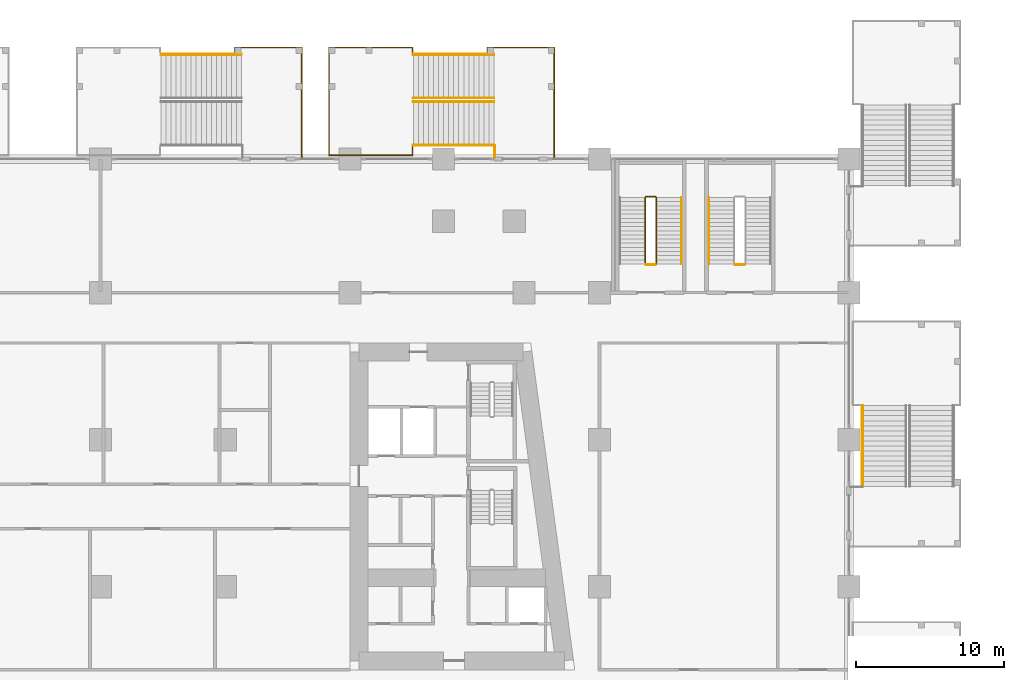
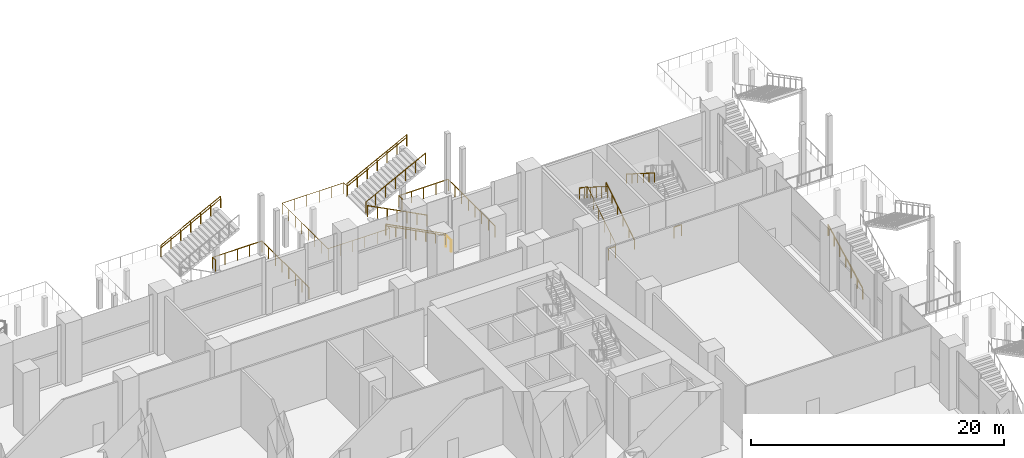
# One storey, part 43 of 47: 19 railings.
"""IFC4 building model written with IfcOpenShell, lengths in metres."""

from ifc_helpers import new_model, si_unit, direction, frame, origin, origin_2d, place, context, subcontext, project, spatial, circle, extrude, material, type_object, element, save


model = new_model("IFC4")

# Units and contexts
model_context = context("Model", 3, precision=1e-05, world=origin(), true_north=direction((0.0, 1.0)))
body_context = subcontext(model_context, "Body", "Model", "MODEL_VIEW")
ifc_project = project(units=[si_unit("LENGTHUNIT", "METRE"), si_unit("AREAUNIT", "SQUARE_METRE"), si_unit("VOLUMEUNIT", "CUBIC_METRE"), si_unit("PLANEANGLEUNIT", "RADIAN"), si_unit("MASSUNIT", "GRAM", prefix="KILO")], contexts=[model_context])

# Site, building, storey
site_placement = place(None, origin())
site = spatial("IfcSite", under=ifc_project, at=site_placement, CompositionType="ELEMENT")
building_placement = place(site_placement, origin())
building = spatial("IfcBuilding", under=site, at=building_placement, Name="Candeia Pilgrim Tower and Theatre", CompositionType="ELEMENT")
storey_placement = place(building_placement, frame((0.0, 0.0, 23.0)))
storey = spatial("IfcBuildingStorey", under=building, at=storey_placement, Name="L03", CompositionType="ELEMENT", Elevation=23.0)

# Railings
ifc_material_1 = material(Name="Stainless steel balustrade", Category="steel")
railing_type_1 = type_object("IfcRailingType", Name="RL-GUARD-1100", PredefinedType="GUARDRAIL", material=ifc_material_1)
railing_1_placement = place(storey_placement, frame((146.625, 137.72509765625, 0.176513671875)))
element("IfcRailing", 1, at=railing_1_placement, inside=storey, type_object=railing_type_1, Name="L03 PS3 stair guard 1", PredefinedType="GUARDRAIL", context=body_context, shape_type="SweptSolid", body=[
    extrude(circle(Radius=0.02392578125, at=origin_2d()), frame((0.0, 0.0, 1.076171875), z_axis=(0.0, 0.845997938375, 0.533186166611), x_axis=(-1.0, 0.0, 0.0)), (0.0, 0.0, 1.0), 5.29541015625),
    extrude(circle(Radius=0.02392578125, at=origin_2d()), frame((0.0, 4.47998046875, 3.8994140625), z_axis=(-0.708833529934, 0.705375805398, 0.0), x_axis=(-0.705375805398, -0.708833529934, 0.0)), (0.0, 0.0, 1.0), 0.070556640625),
    extrude(circle(Radius=0.02392578125, at=origin_2d()), frame((-0.050048828125, 4.52978515625, 3.8994140625), z_axis=(-1.0, 0.0, 0.0), x_axis=(0.0, -1.0, 0.0)), (0.0, 0.0, 1.0), 0.64990234375),
    extrude(circle(Radius=0.02392578125, at=origin_2d()), frame((-0.699951171875, 4.52978515625, 3.8994140625), z_axis=(-0.263260079301, -0.261975883792, 0.928473352853), x_axis=(0.705375805398, -0.708833529934, 0.0)), (0.0, 0.0, 1.0), 0.190185546875),
    extrude(circle(Radius=0.02392578125, at=origin_2d()), frame((-0.75, 4.47998046875, 4.076171875), z_axis=(0.0, -0.845997938375, 0.533186166611), x_axis=(1.0, 0.0, 0.0)), (0.0, 0.0, 1.0), 5.29541015625),
    extrude(circle(Radius=0.02099609375, at=origin_2d()), origin(), (0.0, 0.0, 1.0), 1.052001953125),
    extrude(circle(Radius=0.02099609375, at=origin_2d()), frame((0.0, 0.89599609375, 0.564697265625)), (0.0, 0.0, 1.0), 1.052001953125),
    extrude(circle(Radius=0.02099609375, at=origin_2d()), frame((0.0, 1.7919921875, 1.12939453125)), (0.0, 0.0, 1.0), 1.052001953125),
    extrude(circle(Radius=0.02099609375, at=origin_2d()), frame((0.0, 2.68798828125, 1.694091796875)), (0.0, 0.0, 1.0), 1.052001953125),
    extrude(circle(Radius=0.02099609375, at=origin_2d()), frame((0.0, 3.583984375, 2.2587890625)), (0.0, 0.0, 1.0), 1.052001953125),
    extrude(circle(Radius=0.02099609375, at=origin_2d()), frame((0.0, 4.47998046875, 2.823486328125)), (0.0, 0.0, 1.0), 1.052001953125),
    extrude(circle(Radius=0.02099609375, at=origin_2d()), frame((-0.050048828125, 4.52978515625, 2.823486328125)), (0.0, 0.0, 1.0), 1.052001953125),
    extrude(circle(Radius=0.02099609375, at=origin_2d()), frame((-0.699951171875, 4.52978515625, 2.823486328125)), (0.0, 0.0, 1.0), 1.052001953125),
    extrude(circle(Radius=0.02099609375, at=origin_2d()), frame((-0.75, 4.47998046875, 3.0)), (0.0, 0.0, 1.0), 1.052001953125),
    extrude(circle(Radius=0.02099609375, at=origin_2d()), frame((-0.75, 3.583984375, 3.564697265625)), (0.0, 0.0, 1.0), 1.052001953125),
    extrude(circle(Radius=0.02099609375, at=origin_2d()), frame((-0.75, 2.68798828125, 4.12939453125)), (0.0, 0.0, 1.0), 1.052001953125),
    extrude(circle(Radius=0.02099609375, at=origin_2d()), frame((-0.75, 1.7919921875, 4.694091796875)), (0.0, 0.0, 1.0), 1.052001953125),
    extrude(circle(Radius=0.02099609375, at=origin_2d()), frame((-0.75, 0.89599609375, 5.2587890625)), (0.0, 0.0, 1.0), 1.052001953125),
    extrude(circle(Radius=0.02099609375, at=origin_2d()), frame((-0.75, 0.0, 5.823486328125)), (0.0, 0.0, 1.0), 1.052001953125),
])
for number, where, name in (
    (2, (146.574951171875, 137.675048828125, 0.0), "L03 PS3 stair guard 2"),
    (3, (152.574951171875, 137.675048828125, 0.0), "L03 PS4 stair guard 2"),
):
    element("IfcRailing", number, at=place(storey_placement, frame(where)), inside=storey, type_object=railing_type_1, Name=name, PredefinedType="GUARDRAIL", context=body_context, shape_type="SweptSolid", body=[
        extrude(circle(Radius=0.02392578125, at=origin_2d()), frame((0.0, 0.0, 1.076171875), z_axis=(-1.0, 0.0, 0.0), x_axis=(0.0, -1.0, 0.0)), (0.0, 0.0, 1.0), 0.64990234375),
        extrude(circle(Radius=0.02099609375, at=origin_2d()), origin(), (0.0, 0.0, 1.0), 1.052001953125),
        extrude(circle(Radius=0.02099609375, at=origin_2d()), frame((-0.64990234375, 0.0, 0.0)), (0.0, 0.0, 1.0), 1.052001953125),
    ])
railing_2_placement = place(storey_placement, frame((113.260009765625, 151.85009765625, 3.176513671875)))
element("IfcRailing", 4, at=railing_2_placement, inside=storey, type_object=railing_type_1, Name="L03 ES6 stair guard 4", PredefinedType="GUARDRAIL", context=body_context, shape_type="SweptSolid", body=[
    extrude(circle(Radius=0.02392578125, at=origin_2d()), frame((0.0, 0.0, 1.076171875), z_axis=(0.887569374008, 0.0, 0.460674078198), x_axis=(0.0, 1.0, 0.0)), (0.0, 0.0, 1.0), 6.129150390625),
    extrude(circle(Radius=0.02099609375, at=origin_2d()), origin(), (0.0, 0.0, 1.0), 1.052001953125),
    extrude(circle(Radius=0.02099609375, at=origin_2d()), frame((0.90673828125, 0.0, 0.470703125)), (0.0, 0.0, 1.0), 1.052001953125),
    extrude(circle(Radius=0.02099609375, at=origin_2d()), frame((1.813232421875, 0.0, 0.941162109375)), (0.0, 0.0, 1.0), 1.052001953125),
    extrude(circle(Radius=0.02099609375, at=origin_2d()), frame((2.719970703125, 0.0, 1.41162109375)), (0.0, 0.0, 1.0), 1.052001953125),
    extrude(circle(Radius=0.02099609375, at=origin_2d()), frame((3.626708984375, 0.0, 1.88232421875)), (0.0, 0.0, 1.0), 1.052001953125),
    extrude(circle(Radius=0.02099609375, at=origin_2d()), frame((4.533203125, 0.0, 2.35302734375)), (0.0, 0.0, 1.0), 1.052001953125),
    extrude(circle(Radius=0.02099609375, at=origin_2d()), frame((5.43994140625, 0.0, 2.823486328125)), (0.0, 0.0, 1.0), 1.052001953125),
])
railing_3_placement = place(storey_placement, frame((122.75, 144.89990234375, 0.0)))
element("IfcRailing", 5, at=railing_3_placement, inside=storey, type_object=railing_type_1, Name="L03 External escape stair ES6 landing guard", PredefinedType="GUARDRAIL", context=body_context, shape_type="SweptSolid", body=[
    extrude(circle(Radius=0.02392578125, at=origin_2d()), frame((0.0, 0.0, 1.076171875), z_axis=(0.0, 1.0, 0.0), x_axis=(-1.0, 0.0, 0.0)), (0.0, 0.0, 1.0), 7.400146484375),
    extrude(circle(Radius=0.02392578125, at=origin_2d()), frame((0.0, 7.400146484375, 1.076171875), z_axis=(-1.0, 0.0, 0.0), x_axis=(0.0, -1.0, 0.0)), (0.0, 0.0, 1.0), 4.5),
    extrude(circle(Radius=0.02392578125, at=origin_2d()), frame((-4.5, 7.400146484375, 1.076171875), z_axis=(0.0, -1.0, 0.0), x_axis=(1.0, 0.0, 0.0)), (0.0, 0.0, 1.0), 0.449951171875),
    extrude(circle(Radius=0.02099609375, at=origin_2d()), origin(), (0.0, 0.0, 1.0), 1.052001953125),
    extrude(circle(Radius=0.02099609375, at=origin_2d()), frame((0.0, 1.05712890625, 0.0)), (0.0, 0.0, 1.0), 1.052001953125),
    extrude(circle(Radius=0.02099609375, at=origin_2d()), frame((0.0, 2.1142578125, 0.0)), (0.0, 0.0, 1.0), 1.052001953125),
    extrude(circle(Radius=0.02099609375, at=origin_2d()), frame((0.0, 3.17138671875, 0.0)), (0.0, 0.0, 1.0), 1.052001953125),
    extrude(circle(Radius=0.02099609375, at=origin_2d()), frame((0.0, 4.228759765625, 0.0)), (0.0, 0.0, 1.0), 1.052001953125),
    extrude(circle(Radius=0.02099609375, at=origin_2d()), frame((0.0, 5.285888671875, 0.0)), (0.0, 0.0, 1.0), 1.052001953125),
    extrude(circle(Radius=0.02099609375, at=origin_2d()), frame((0.0, 6.343017578125, 0.0)), (0.0, 0.0, 1.0), 1.052001953125),
    extrude(circle(Radius=0.02099609375, at=origin_2d()), frame((0.0, 7.400146484375, 0.0)), (0.0, 0.0, 1.0), 1.052001953125),
    extrude(circle(Radius=0.02099609375, at=origin_2d()), frame((-1.125, 7.400146484375, 0.0)), (0.0, 0.0, 1.0), 1.052001953125),
    extrude(circle(Radius=0.02099609375, at=origin_2d()), frame((-2.25, 7.400146484375, 0.0)), (0.0, 0.0, 1.0), 1.052001953125),
    extrude(circle(Radius=0.02099609375, at=origin_2d()), frame((-3.375, 7.400146484375, 0.0)), (0.0, 0.0, 1.0), 1.052001953125),
    extrude(circle(Radius=0.02099609375, at=origin_2d()), frame((-4.5, 7.400146484375, 0.0)), (0.0, 0.0, 1.0), 1.052001953125),
    extrude(circle(Radius=0.02099609375, at=origin_2d()), frame((-4.5, 6.9501953125, 0.0)), (0.0, 0.0, 1.0), 1.052001953125),
])
railing_4_placement = place(storey_placement, frame((135.699951171875, 148.64990234375, 0.176513671875)))
element("IfcRailing", 6, at=railing_4_placement, inside=storey, type_object=railing_type_1, Name="L03 ES7 stair guard 1", PredefinedType="GUARDRAIL", context=body_context, shape_type="SweptSolid", body=[
    extrude(circle(Radius=0.02392578125, at=origin_2d()), frame((0.0, 0.0, 1.076171875), z_axis=(-0.887569374008, 0.0, 0.460674078198), x_axis=(0.0, -1.0, 0.0)), (0.0, 0.0, 1.0), 6.129150390625),
    extrude(circle(Radius=0.02099609375, at=origin_2d()), origin(), (0.0, 0.0, 1.0), 1.052001953125),
    extrude(circle(Radius=0.02099609375, at=origin_2d()), frame((-0.90673828125, 0.0, 0.470703125)), (0.0, 0.0, 1.0), 1.052001953125),
    extrude(circle(Radius=0.02099609375, at=origin_2d()), frame((-1.813232421875, 0.0, 0.941162109375)), (0.0, 0.0, 1.0), 1.052001953125),
    extrude(circle(Radius=0.02099609375, at=origin_2d()), frame((-2.719970703125, 0.0, 1.41162109375)), (0.0, 0.0, 1.0), 1.052001953125),
    extrude(circle(Radius=0.02099609375, at=origin_2d()), frame((-3.626708984375, 0.0, 1.88232421875)), (0.0, 0.0, 1.0), 1.052001953125),
    extrude(circle(Radius=0.02099609375, at=origin_2d()), frame((-4.533203125, 0.0, 2.35302734375)), (0.0, 0.0, 1.0), 1.052001953125),
    extrude(circle(Radius=0.02099609375, at=origin_2d()), frame((-5.43994140625, 0.0, 2.823486328125)), (0.0, 0.0, 1.0), 1.052001953125),
])
railing_5_placement = place(storey_placement, frame((130.260009765625, 148.89990234375, 3.176513671875)))
element("IfcRailing", 7, at=railing_5_placement, inside=storey, type_object=railing_type_1, Name="L03 ES7 stair guard 2", PredefinedType="GUARDRAIL", context=body_context, shape_type="SweptSolid", body=[
    extrude(circle(Radius=0.02392578125, at=origin_2d()), frame((0.0, 0.0, 1.076171875), z_axis=(0.887569374008, 0.0, 0.460674078198), x_axis=(0.0, 1.0, 0.0)), (0.0, 0.0, 1.0), 6.129150390625),
    extrude(circle(Radius=0.02099609375, at=origin_2d()), origin(), (0.0, 0.0, 1.0), 1.052001953125),
    extrude(circle(Radius=0.02099609375, at=origin_2d()), frame((0.90673828125, 0.0, 0.470703125)), (0.0, 0.0, 1.0), 1.052001953125),
    extrude(circle(Radius=0.02099609375, at=origin_2d()), frame((1.813232421875, 0.0, 0.941162109375)), (0.0, 0.0, 1.0), 1.052001953125),
    extrude(circle(Radius=0.02099609375, at=origin_2d()), frame((2.719970703125, 0.0, 1.41162109375)), (0.0, 0.0, 1.0), 1.052001953125),
    extrude(circle(Radius=0.02099609375, at=origin_2d()), frame((3.626708984375, 0.0, 1.88232421875)), (0.0, 0.0, 1.0), 1.052001953125),
    extrude(circle(Radius=0.02099609375, at=origin_2d()), frame((4.533203125, 0.0, 2.35302734375)), (0.0, 0.0, 1.0), 1.052001953125),
    extrude(circle(Radius=0.02099609375, at=origin_2d()), frame((5.43994140625, 0.0, 2.823486328125)), (0.0, 0.0, 1.0), 1.052001953125),
])
railing_6_placement = place(storey_placement, frame((135.699951171875, 145.699951171875, 0.176513671875)))
element("IfcRailing", 8, at=railing_6_placement, inside=storey, type_object=railing_type_1, Name="L03 ES7 stair guard 3", PredefinedType="GUARDRAIL", context=body_context, shape_type="SweptSolid", body=[
    extrude(circle(Radius=0.02392578125, at=origin_2d()), frame((0.0, 0.0, 1.076171875), z_axis=(-0.887569374008, 0.0, 0.460674078198), x_axis=(0.0, -1.0, 0.0)), (0.0, 0.0, 1.0), 6.129150390625),
    extrude(circle(Radius=0.02099609375, at=origin_2d()), origin(), (0.0, 0.0, 1.0), 1.052001953125),
    extrude(circle(Radius=0.02099609375, at=origin_2d()), frame((-0.90673828125, 0.0, 0.470703125)), (0.0, 0.0, 1.0), 1.052001953125),
    extrude(circle(Radius=0.02099609375, at=origin_2d()), frame((-1.813232421875, 0.0, 0.941162109375)), (0.0, 0.0, 1.0), 1.052001953125),
    extrude(circle(Radius=0.02099609375, at=origin_2d()), frame((-2.719970703125, 0.0, 1.41162109375)), (0.0, 0.0, 1.0), 1.052001953125),
    extrude(circle(Radius=0.02099609375, at=origin_2d()), frame((-3.626708984375, 0.0, 1.88232421875)), (0.0, 0.0, 1.0), 1.052001953125),
    extrude(circle(Radius=0.02099609375, at=origin_2d()), frame((-4.533203125, 0.0, 2.35302734375)), (0.0, 0.0, 1.0), 1.052001953125),
    extrude(circle(Radius=0.02099609375, at=origin_2d()), frame((-5.43994140625, 0.0, 2.823486328125)), (0.0, 0.0, 1.0), 1.052001953125),
])
railing_7_placement = place(storey_placement, frame((130.260009765625, 151.85009765625, 3.176513671875)))
element("IfcRailing", 9, at=railing_7_placement, inside=storey, type_object=railing_type_1, Name="L03 ES7 stair guard 4", PredefinedType="GUARDRAIL", context=body_context, shape_type="SweptSolid", body=[
    extrude(circle(Radius=0.02392578125, at=origin_2d()), frame((0.0, 0.0, 1.076171875), z_axis=(0.887569374008, 0.0, 0.460674078198), x_axis=(0.0, 1.0, 0.0)), (0.0, 0.0, 1.0), 6.129150390625),
    extrude(circle(Radius=0.02099609375, at=origin_2d()), origin(), (0.0, 0.0, 1.0), 1.052001953125),
    extrude(circle(Radius=0.02099609375, at=origin_2d()), frame((0.90673828125, 0.0, 0.470703125)), (0.0, 0.0, 1.0), 1.052001953125),
    extrude(circle(Radius=0.02099609375, at=origin_2d()), frame((1.813232421875, 0.0, 0.941162109375)), (0.0, 0.0, 1.0), 1.052001953125),
    extrude(circle(Radius=0.02099609375, at=origin_2d()), frame((2.719970703125, 0.0, 1.41162109375)), (0.0, 0.0, 1.0), 1.052001953125),
    extrude(circle(Radius=0.02099609375, at=origin_2d()), frame((3.626708984375, 0.0, 1.88232421875)), (0.0, 0.0, 1.0), 1.052001953125),
    extrude(circle(Radius=0.02099609375, at=origin_2d()), frame((4.533203125, 0.0, 2.35302734375)), (0.0, 0.0, 1.0), 1.052001953125),
    extrude(circle(Radius=0.02099609375, at=origin_2d()), frame((5.43994140625, 0.0, 2.823486328125)), (0.0, 0.0, 1.0), 1.052001953125),
])
railing_8_placement = place(storey_placement, frame((130.2099609375, 145.699951171875, 3.0)))
element("IfcRailing", 10, at=railing_8_placement, inside=storey, type_object=railing_type_1, Name="L03 ES7 stair guard 5", PredefinedType="GUARDRAIL", context=body_context, shape_type="SweptSolid", body=[
    extrude(circle(Radius=0.02392578125, at=origin_2d()), frame((0.0, 0.0, 1.076171875), z_axis=(0.0, -1.0, 0.0), x_axis=(1.0, 0.0, 0.0)), (0.0, 0.0, 1.0), 0.64990234375),
    extrude(circle(Radius=0.02392578125, at=origin_2d()), frame((0.0, -0.64990234375, 1.076171875), z_axis=(-1.0, 0.0, 0.0), x_axis=(0.0, -1.0, 0.0)), (0.0, 0.0, 1.0), 5.619873046875),
    extrude(circle(Radius=0.02392578125, at=origin_2d()), frame((-5.619873046875, -0.64990234375, 1.076171875), z_axis=(0.0, 1.0, 0.0), x_axis=(-1.0, 0.0, 0.0)), (0.0, 0.0, 1.0), 7.25),
    extrude(circle(Radius=0.02392578125, at=origin_2d()), frame((-5.619873046875, 6.60009765625, 1.076171875), z_axis=(1.0, 0.0, 0.0), x_axis=(0.0, 1.0, 0.0)), (0.0, 0.0, 1.0), 5.619873046875),
    extrude(circle(Radius=0.02392578125, at=origin_2d()), frame((0.0, 6.60009765625, 1.076171875), z_axis=(0.0, -1.0, 0.0), x_axis=(1.0, 0.0, 0.0)), (0.0, 0.0, 1.0), 0.449951171875),
    extrude(circle(Radius=0.02099609375, at=origin_2d()), origin(), (0.0, 0.0, 1.0), 1.052001953125),
    extrude(circle(Radius=0.02099609375, at=origin_2d()), frame((0.0, -0.64990234375, 0.0)), (0.0, 0.0, 1.0), 1.052001953125),
    extrude(circle(Radius=0.02099609375, at=origin_2d()), frame((-1.1240234375, -0.64990234375, 0.0)), (0.0, 0.0, 1.0), 1.052001953125),
    extrude(circle(Radius=0.02099609375, at=origin_2d()), frame((-2.248046875, -0.64990234375, 0.0)), (0.0, 0.0, 1.0), 1.052001953125),
    extrude(circle(Radius=0.02099609375, at=origin_2d()), frame((-3.371826171875, -0.64990234375, 0.0)), (0.0, 0.0, 1.0), 1.052001953125),
    extrude(circle(Radius=0.02099609375, at=origin_2d()), frame((-4.495849609375, -0.64990234375, 0.0)), (0.0, 0.0, 1.0), 1.052001953125),
    extrude(circle(Radius=0.02099609375, at=origin_2d()), frame((-5.619873046875, -0.64990234375, 0.0)), (0.0, 0.0, 1.0), 1.052001953125),
    extrude(circle(Radius=0.02099609375, at=origin_2d()), frame((-5.619873046875, 0.3857421875, 0.0)), (0.0, 0.0, 1.0), 1.052001953125),
    extrude(circle(Radius=0.02099609375, at=origin_2d()), frame((-5.619873046875, 1.421630859375, 0.0)), (0.0, 0.0, 1.0), 1.052001953125),
    extrude(circle(Radius=0.02099609375, at=origin_2d()), frame((-5.619873046875, 2.457275390625, 0.0)), (0.0, 0.0, 1.0), 1.052001953125),
    extrude(circle(Radius=0.02099609375, at=origin_2d()), frame((-5.619873046875, 3.492919921875, 0.0)), (0.0, 0.0, 1.0), 1.052001953125),
    extrude(circle(Radius=0.02099609375, at=origin_2d()), frame((-5.619873046875, 4.528564453125, 0.0)), (0.0, 0.0, 1.0), 1.052001953125),
    extrude(circle(Radius=0.02099609375, at=origin_2d()), frame((-5.619873046875, 5.564453125, 0.0)), (0.0, 0.0, 1.0), 1.052001953125),
    extrude(circle(Radius=0.02099609375, at=origin_2d()), frame((-5.619873046875, 6.60009765625, 0.0)), (0.0, 0.0, 1.0), 1.052001953125),
    extrude(circle(Radius=0.02099609375, at=origin_2d()), frame((-4.495849609375, 6.60009765625, 0.0)), (0.0, 0.0, 1.0), 1.052001953125),
    extrude(circle(Radius=0.02099609375, at=origin_2d()), frame((-3.371826171875, 6.60009765625, 0.0)), (0.0, 0.0, 1.0), 1.052001953125),
    extrude(circle(Radius=0.02099609375, at=origin_2d()), frame((-2.248046875, 6.60009765625, 0.0)), (0.0, 0.0, 1.0), 1.052001953125),
    extrude(circle(Radius=0.02099609375, at=origin_2d()), frame((-1.1240234375, 6.60009765625, 0.0)), (0.0, 0.0, 1.0), 1.052001953125),
    extrude(circle(Radius=0.02099609375, at=origin_2d()), frame((0.0, 6.60009765625, 0.0)), (0.0, 0.0, 1.0), 1.052001953125),
    extrude(circle(Radius=0.02099609375, at=origin_2d()), frame((0.0, 6.150146484375, 0.0)), (0.0, 0.0, 1.0), 1.052001953125),
])
railing_9_placement = place(storey_placement, frame((139.75, 144.89990234375, 0.0)))
element("IfcRailing", 11, at=railing_9_placement, inside=storey, type_object=railing_type_1, Name="L03 External escape stair ES7 landing guard", PredefinedType="GUARDRAIL", context=body_context, shape_type="SweptSolid", body=[
    extrude(circle(Radius=0.02392578125, at=origin_2d()), frame((0.0, 0.0, 1.076171875), z_axis=(0.0, 1.0, 0.0), x_axis=(-1.0, 0.0, 0.0)), (0.0, 0.0, 1.0), 7.400146484375),
    extrude(circle(Radius=0.02392578125, at=origin_2d()), frame((0.0, 7.400146484375, 1.076171875), z_axis=(-1.0, 0.0, 0.0), x_axis=(0.0, -1.0, 0.0)), (0.0, 0.0, 1.0), 4.5),
    extrude(circle(Radius=0.02392578125, at=origin_2d()), frame((-4.5, 7.400146484375, 1.076171875), z_axis=(0.0, -1.0, 0.0), x_axis=(1.0, 0.0, 0.0)), (0.0, 0.0, 1.0), 0.449951171875),
    extrude(circle(Radius=0.02099609375, at=origin_2d()), origin(), (0.0, 0.0, 1.0), 1.052001953125),
    extrude(circle(Radius=0.02099609375, at=origin_2d()), frame((0.0, 1.05712890625, 0.0)), (0.0, 0.0, 1.0), 1.052001953125),
    extrude(circle(Radius=0.02099609375, at=origin_2d()), frame((0.0, 2.1142578125, 0.0)), (0.0, 0.0, 1.0), 1.052001953125),
    extrude(circle(Radius=0.02099609375, at=origin_2d()), frame((0.0, 3.17138671875, 0.0)), (0.0, 0.0, 1.0), 1.052001953125),
    extrude(circle(Radius=0.02099609375, at=origin_2d()), frame((0.0, 4.228759765625, 0.0)), (0.0, 0.0, 1.0), 1.052001953125),
    extrude(circle(Radius=0.02099609375, at=origin_2d()), frame((0.0, 5.285888671875, 0.0)), (0.0, 0.0, 1.0), 1.052001953125),
    extrude(circle(Radius=0.02099609375, at=origin_2d()), frame((0.0, 6.343017578125, 0.0)), (0.0, 0.0, 1.0), 1.052001953125),
    extrude(circle(Radius=0.02099609375, at=origin_2d()), frame((0.0, 7.400146484375, 0.0)), (0.0, 0.0, 1.0), 1.052001953125),
    extrude(circle(Radius=0.02099609375, at=origin_2d()), frame((-1.125, 7.400146484375, 0.0)), (0.0, 0.0, 1.0), 1.052001953125),
    extrude(circle(Radius=0.02099609375, at=origin_2d()), frame((-2.25, 7.400146484375, 0.0)), (0.0, 0.0, 1.0), 1.052001953125),
    extrude(circle(Radius=0.02099609375, at=origin_2d()), frame((-3.375, 7.400146484375, 0.0)), (0.0, 0.0, 1.0), 1.052001953125),
    extrude(circle(Radius=0.02099609375, at=origin_2d()), frame((-4.5, 7.400146484375, 0.0)), (0.0, 0.0, 1.0), 1.052001953125),
    extrude(circle(Radius=0.02099609375, at=origin_2d()), frame((-4.5, 6.9501953125, 0.0)), (0.0, 0.0, 1.0), 1.052001953125),
])
railing_10_placement = place(storey_placement, frame((135.75, 144.89990234375, 0.0)))
element("IfcRailing", 12, at=railing_10_placement, inside=storey, type_object=railing_type_1, Name="L03 External escape stair ES7 bridge guard", PredefinedType="GUARDRAIL", context=body_context, shape_type="SweptSolid", body=[
    extrude(circle(Radius=0.02392578125, at=origin_2d()), frame((0.0, 0.0, 1.076171875), z_axis=(0.0, 1.0, 0.0), x_axis=(-1.0, 0.0, 0.0)), (0.0, 0.0, 1.0), 0.800048828125),
    extrude(circle(Radius=0.02099609375, at=origin_2d()), origin(), (0.0, 0.0, 1.0), 1.052001953125),
    extrude(circle(Radius=0.02099609375, at=origin_2d()), frame((0.0, 0.800048828125, 0.0)), (0.0, 0.0, 1.0), 1.052001953125),
])
railing_11_placement = place(storey_placement, frame((160.5, 122.75, 0.176513671875)))
element("IfcRailing", 13, at=railing_11_placement, inside=storey, type_object=railing_type_1, Name="L03 ES14 stair guard 3", PredefinedType="GUARDRAIL", context=body_context, shape_type="SweptSolid", body=[
    extrude(circle(Radius=0.02392578125, at=origin_2d()), frame((0.0, 0.0, 1.076171875), z_axis=(0.0, 0.887569374008, 0.460674078198), x_axis=(-1.0, 0.0, 0.0)), (0.0, 0.0, 1.0), 6.129150390625),
    extrude(circle(Radius=0.02099609375, at=origin_2d()), origin(), (0.0, 0.0, 1.0), 1.052001953125),
    extrude(circle(Radius=0.02099609375, at=origin_2d()), frame((0.0, 0.90673828125, 0.470703125)), (0.0, 0.0, 1.0), 1.052001953125),
    extrude(circle(Radius=0.02099609375, at=origin_2d()), frame((0.0, 1.813232421875, 0.941162109375)), (0.0, 0.0, 1.0), 1.052001953125),
    extrude(circle(Radius=0.02099609375, at=origin_2d()), frame((0.0, 2.719970703125, 1.41162109375)), (0.0, 0.0, 1.0), 1.052001953125),
    extrude(circle(Radius=0.02099609375, at=origin_2d()), frame((0.0, 3.626708984375, 1.88232421875)), (0.0, 0.0, 1.0), 1.052001953125),
    extrude(circle(Radius=0.02099609375, at=origin_2d()), frame((0.0, 4.533203125, 2.35302734375)), (0.0, 0.0, 1.0), 1.052001953125),
    extrude(circle(Radius=0.02099609375, at=origin_2d()), frame((0.0, 5.43994140625, 2.823486328125)), (0.0, 0.0, 1.0), 1.052001953125),
])
ifc_material_2 = material(Name="Stainless steel handrail", Category="steel")
railing_type_2 = type_object("IfcRailingType", Name="RL-HANDRAIL-900", PredefinedType="HANDRAIL", material=ifc_material_2)
railing_12_placement = place(storey_placement, frame((148.324951171875, 137.72509765625, 0.176513671875)))
element("IfcRailing", 14, at=railing_12_placement, inside=storey, type_object=railing_type_2, Name="L03 PS3 stair handrail 1", PredefinedType="HANDRAIL", context=body_context, shape_type="SweptSolid", body=[
    extrude(circle(Radius=0.02392578125, at=origin_2d()), frame((0.0, 0.0, 0.8759765625), z_axis=(0.0, 0.845997938375, 0.533186166611), x_axis=(-1.0, 0.0, 0.0)), (0.0, 0.0, 1.0), 5.29541015625),
    extrude(circle(Radius=0.02099609375, at=origin_2d()), origin(), (0.0, 0.0, 1.0), 0.851806640625),
    extrude(circle(Radius=0.02099609375, at=origin_2d()), frame((0.0, 0.89599609375, 0.564697265625)), (0.0, 0.0, 1.0), 0.851806640625),
    extrude(circle(Radius=0.02099609375, at=origin_2d()), frame((0.0, 1.7919921875, 1.12939453125)), (0.0, 0.0, 1.0), 0.851806640625),
    extrude(circle(Radius=0.02099609375, at=origin_2d()), frame((0.0, 2.68798828125, 1.694091796875)), (0.0, 0.0, 1.0), 0.851806640625),
    extrude(circle(Radius=0.02099609375, at=origin_2d()), frame((0.0, 3.583984375, 2.2587890625)), (0.0, 0.0, 1.0), 0.851806640625),
    extrude(circle(Radius=0.02099609375, at=origin_2d()), frame((0.0, 4.47998046875, 2.823486328125)), (0.0, 0.0, 1.0), 0.851806640625),
])
railing_13_placement = place(storey_placement, frame((150.175048828125, 142.205078125, 3.176513671875)))
element("IfcRailing", 15, at=railing_13_placement, inside=storey, type_object=railing_type_2, Name="L03 PS4 stair handrail 2", PredefinedType="HANDRAIL", context=body_context, shape_type="SweptSolid", body=[
    extrude(circle(Radius=0.02392578125, at=origin_2d()), frame((0.0, 0.0, 0.8759765625), z_axis=(0.0, -0.845997938375, 0.533186166611), x_axis=(1.0, 0.0, 0.0)), (0.0, 0.0, 1.0), 5.29541015625),
    extrude(circle(Radius=0.02099609375, at=origin_2d()), origin(), (0.0, 0.0, 1.0), 0.851806640625),
    extrude(circle(Radius=0.02099609375, at=origin_2d()), frame((0.0, -0.89599609375, 0.564697265625)), (0.0, 0.0, 1.0), 0.851806640625),
    extrude(circle(Radius=0.02099609375, at=origin_2d()), frame((0.0, -1.7919921875, 1.12939453125)), (0.0, 0.0, 1.0), 0.851806640625),
    extrude(circle(Radius=0.02099609375, at=origin_2d()), frame((0.0, -2.68798828125, 1.694091796875)), (0.0, 0.0, 1.0), 0.851806640625),
    extrude(circle(Radius=0.02099609375, at=origin_2d()), frame((0.0, -3.583984375, 2.2587890625)), (0.0, 0.0, 1.0), 0.851806640625),
    extrude(circle(Radius=0.02099609375, at=origin_2d()), frame((0.0, -4.47998046875, 2.823486328125)), (0.0, 0.0, 1.0), 0.851806640625),
])
railing_14_placement = place(storey_placement, frame((113.260009765625, 151.800048828125, 3.176513671875)))
element("IfcRailing", 16, at=railing_14_placement, inside=storey, type_object=railing_type_2, Name="L03 ES6 stair handrail 2", PredefinedType="HANDRAIL", context=body_context, shape_type="SweptSolid", body=[
    extrude(circle(Radius=0.02392578125, at=origin_2d()), frame((0.0, 0.0, 0.8759765625), z_axis=(0.887569374008, 0.0, 0.460674078198), x_axis=(0.0, 1.0, 0.0)), (0.0, 0.0, 1.0), 6.129150390625),
    extrude(circle(Radius=0.02099609375, at=origin_2d()), origin(), (0.0, 0.0, 1.0), 0.851806640625),
    extrude(circle(Radius=0.02099609375, at=origin_2d()), frame((0.90673828125, 0.0, 0.470703125)), (0.0, 0.0, 1.0), 0.851806640625),
    extrude(circle(Radius=0.02099609375, at=origin_2d()), frame((1.813232421875, 0.0, 0.941162109375)), (0.0, 0.0, 1.0), 0.851806640625),
    extrude(circle(Radius=0.02099609375, at=origin_2d()), frame((2.719970703125, 0.0, 1.41162109375)), (0.0, 0.0, 1.0), 0.851806640625),
    extrude(circle(Radius=0.02099609375, at=origin_2d()), frame((3.626708984375, 0.0, 1.88232421875)), (0.0, 0.0, 1.0), 0.851806640625),
    extrude(circle(Radius=0.02099609375, at=origin_2d()), frame((4.533203125, 0.0, 2.35302734375)), (0.0, 0.0, 1.0), 0.851806640625),
    extrude(circle(Radius=0.02099609375, at=origin_2d()), frame((5.43994140625, 0.0, 2.823486328125)), (0.0, 0.0, 1.0), 0.851806640625),
])
railing_15_placement = place(storey_placement, frame((135.699951171875, 145.75, 0.176513671875)))
element("IfcRailing", 17, at=railing_15_placement, inside=storey, type_object=railing_type_2, Name="L03 ES7 stair handrail 1", PredefinedType="HANDRAIL", context=body_context, shape_type="SweptSolid", body=[
    extrude(circle(Radius=0.02392578125, at=origin_2d()), frame((0.0, 0.0, 0.8759765625), z_axis=(-0.887569374008, 0.0, 0.460674078198), x_axis=(0.0, -1.0, 0.0)), (0.0, 0.0, 1.0), 6.129150390625),
    extrude(circle(Radius=0.02099609375, at=origin_2d()), origin(), (0.0, 0.0, 1.0), 0.851806640625),
    extrude(circle(Radius=0.02099609375, at=origin_2d()), frame((-0.90673828125, 0.0, 0.470703125)), (0.0, 0.0, 1.0), 0.851806640625),
    extrude(circle(Radius=0.02099609375, at=origin_2d()), frame((-1.813232421875, 0.0, 0.941162109375)), (0.0, 0.0, 1.0), 0.851806640625),
    extrude(circle(Radius=0.02099609375, at=origin_2d()), frame((-2.719970703125, 0.0, 1.41162109375)), (0.0, 0.0, 1.0), 0.851806640625),
    extrude(circle(Radius=0.02099609375, at=origin_2d()), frame((-3.626708984375, 0.0, 1.88232421875)), (0.0, 0.0, 1.0), 0.851806640625),
    extrude(circle(Radius=0.02099609375, at=origin_2d()), frame((-4.533203125, 0.0, 2.35302734375)), (0.0, 0.0, 1.0), 0.851806640625),
    extrude(circle(Radius=0.02099609375, at=origin_2d()), frame((-5.43994140625, 0.0, 2.823486328125)), (0.0, 0.0, 1.0), 0.851806640625),
])
railing_16_placement = place(storey_placement, frame((130.260009765625, 151.800048828125, 3.176513671875)))
element("IfcRailing", 18, at=railing_16_placement, inside=storey, type_object=railing_type_2, Name="L03 ES7 stair handrail 2", PredefinedType="HANDRAIL", context=body_context, shape_type="SweptSolid", body=[
    extrude(circle(Radius=0.02392578125, at=origin_2d()), frame((0.0, 0.0, 0.8759765625), z_axis=(0.887569374008, 0.0, 0.460674078198), x_axis=(0.0, 1.0, 0.0)), (0.0, 0.0, 1.0), 6.129150390625),
    extrude(circle(Radius=0.02099609375, at=origin_2d()), origin(), (0.0, 0.0, 1.0), 0.851806640625),
    extrude(circle(Radius=0.02099609375, at=origin_2d()), frame((0.90673828125, 0.0, 0.470703125)), (0.0, 0.0, 1.0), 0.851806640625),
    extrude(circle(Radius=0.02099609375, at=origin_2d()), frame((1.813232421875, 0.0, 0.941162109375)), (0.0, 0.0, 1.0), 0.851806640625),
    extrude(circle(Radius=0.02099609375, at=origin_2d()), frame((2.719970703125, 0.0, 1.41162109375)), (0.0, 0.0, 1.0), 0.851806640625),
    extrude(circle(Radius=0.02099609375, at=origin_2d()), frame((3.626708984375, 0.0, 1.88232421875)), (0.0, 0.0, 1.0), 0.851806640625),
    extrude(circle(Radius=0.02099609375, at=origin_2d()), frame((4.533203125, 0.0, 2.35302734375)), (0.0, 0.0, 1.0), 0.851806640625),
    extrude(circle(Radius=0.02099609375, at=origin_2d()), frame((5.43994140625, 0.0, 2.823486328125)), (0.0, 0.0, 1.0), 0.851806640625),
])
railing_17_placement = place(storey_placement, frame((160.550048828125, 122.75, 0.176513671875)))
element("IfcRailing", 19, at=railing_17_placement, inside=storey, type_object=railing_type_2, Name="L03 ES14 stair handrail 1", PredefinedType="HANDRAIL", context=body_context, shape_type="SweptSolid", body=[
    extrude(circle(Radius=0.02392578125, at=origin_2d()), frame((0.0, 0.0, 0.8759765625), z_axis=(0.0, 0.887569374008, 0.460674078198), x_axis=(-1.0, 0.0, 0.0)), (0.0, 0.0, 1.0), 6.129150390625),
    extrude(circle(Radius=0.02099609375, at=origin_2d()), origin(), (0.0, 0.0, 1.0), 0.851806640625),
    extrude(circle(Radius=0.02099609375, at=origin_2d()), frame((0.0, 0.90673828125, 0.470703125)), (0.0, 0.0, 1.0), 0.851806640625),
    extrude(circle(Radius=0.02099609375, at=origin_2d()), frame((0.0, 1.813232421875, 0.941162109375)), (0.0, 0.0, 1.0), 0.851806640625),
    extrude(circle(Radius=0.02099609375, at=origin_2d()), frame((0.0, 2.719970703125, 1.41162109375)), (0.0, 0.0, 1.0), 0.851806640625),
    extrude(circle(Radius=0.02099609375, at=origin_2d()), frame((0.0, 3.626708984375, 1.88232421875)), (0.0, 0.0, 1.0), 0.851806640625),
    extrude(circle(Radius=0.02099609375, at=origin_2d()), frame((0.0, 4.533203125, 2.35302734375)), (0.0, 0.0, 1.0), 0.851806640625),
    extrude(circle(Radius=0.02099609375, at=origin_2d()), frame((0.0, 5.43994140625, 2.823486328125)), (0.0, 0.0, 1.0), 0.851806640625),
])

save(model, "model.ifc")
